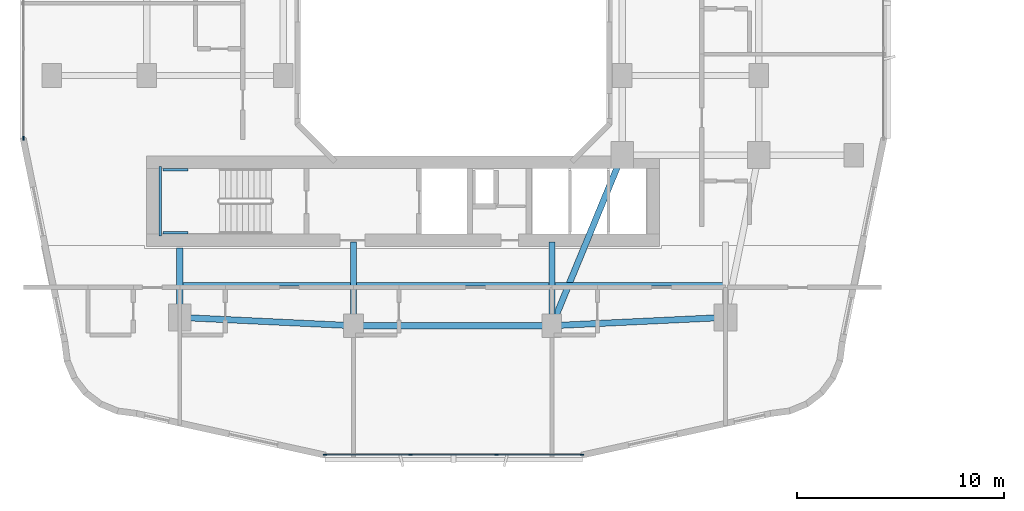
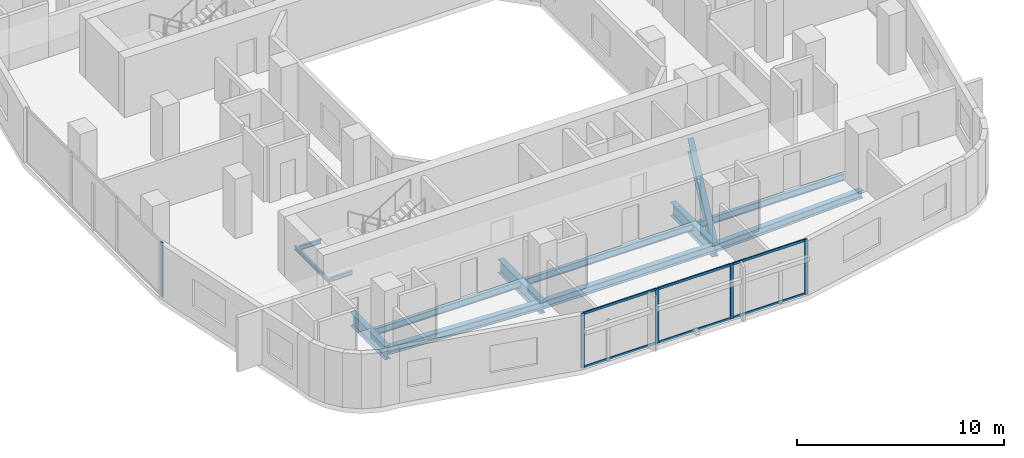
# One storey, part 2 of 27: 13 beams, 11 members, 2 elements without a shape of their own.
"""IFC4 building model written with IfcOpenShell, lengths in metres."""

import ifcopenshell
import ifcopenshell.guid

model = None  # the IFC model being written
_history = None  # IfcOwnerHistory: only IFC2X3 demands one
_inside = {}  # id of a spatial element -> (the spatial element, [elements in it])
_under = {}  # id of a project, library or spatial element -> (it, [spatial elements below it])
_declared = {}  # id of a project -> (the project, [libraries it declares])
_typed = {}  # id of a type object -> (the type object, [elements of that type])
_made_of = {}  # id of a material, layer set ... -> (it, [elements and type objects made of it])


def new_model(schema):
    """Start an empty IFC model of exactly this schema.

    Asked for "IFC4X3", IfcOpenShell would pick the latest addendum, in which some entities
    have other attributes; the version numbers below select the first issue.
    IFC2X3 requires an IfcOwnerHistory on every rooted entity: one is made here for all.
    """
    global model, _history
    if schema == "IFC4X3":
        model = ifcopenshell.file(schema_version=(4, 3, 0, 0))
    else:
        model = ifcopenshell.file(schema=schema)
    _inside.clear()
    _under.clear()
    _declared.clear()
    _typed.clear()
    _made_of.clear()
    _history = None
    if model.schema == "IFC2X3":
        org = make("IfcOrganization", Name="unknown")
        user = make(
            "IfcPersonAndOrganization",
            ThePerson=make("IfcPerson", FamilyName="unknown"),
            TheOrganization=org,
        )
        app = make(
            "IfcApplication",
            ApplicationDeveloper=org,
            Version="unknown",
            ApplicationFullName="unknown",
            ApplicationIdentifier="unknown",
        )
        _history = make(
            "IfcOwnerHistory",
            OwningUser=user,
            OwningApplication=app,
            ChangeAction="ADDED",
            CreationDate=0,
        )
    return model


def make(cls, **values):
    """One entity of the class cls with the attributes given. An attribute that is None is left unset."""
    return model.create_entity(
        cls, **{name: value for name, value in values.items() if value is not None}
    )


def rooted(cls, **values):
    """An entity with a GlobalId (a new one), such as an element, a storey or a relation."""
    return make(cls, GlobalId=ifcopenshell.guid.new(), OwnerHistory=_history, **values)


def si_unit(unit_type, name, prefix=None):
    """IfcSIUnit, for example si_unit("LENGTHUNIT", "METRE", prefix="MILLI")."""
    return make("IfcSIUnit", UnitType=unit_type, Prefix=prefix, Name=name)


def derived_unit(unit_type, elements):
    """IfcDerivedUnit: a product of units, each with its exponent."""
    return make(
        "IfcDerivedUnit",
        Elements=[
            make("IfcDerivedUnitElement", Unit=unit, Exponent=power)
            for unit, power in elements
        ],
        UnitType=unit_type,
    )


def assignment(units):
    """IfcUnitAssignment: the units of a project."""
    return None if units is None else make("IfcUnitAssignment", Units=units)


def point(xyz):
    """IfcCartesianPoint."""
    return None if xyz is None else make("IfcCartesianPoint", Coordinates=xyz)


def direction(xyz):
    """IfcDirection."""
    return None if xyz is None else make("IfcDirection", DirectionRatios=xyz)


def frame(location, z_axis=None, x_axis=None):
    """IfcAxis2Placement3D, a coordinate frame: its origin and axes. An axis left out is left unset."""
    return make(
        "IfcAxis2Placement3D",
        Location=point(location),
        Axis=direction(z_axis),
        RefDirection=direction(x_axis),
    )


def frame_2d(location, x_axis=None):
    """IfcAxis2Placement2D, a coordinate frame in the plane: its origin and x axis."""
    return make(
        "IfcAxis2Placement2D", Location=point(location), RefDirection=direction(x_axis)
    )


def origin():
    """The frame at (0, 0, 0) with its axes left unset."""
    return frame((0.0, 0.0, 0.0))


def origin_2d():
    """The frame at (0, 0) in the plane with its x axis left unset."""
    return frame_2d((0.0, 0.0))


def place(relative_to, where):
    """IfcLocalPlacement: puts the frame where relative to a parent placement (None: the world)."""
    return make(
        "IfcLocalPlacement", PlacementRelTo=relative_to, RelativePlacement=where
    )


def context(
    kind, dimensions, precision=None, world=None, true_north=None, identifier=None
):
    """IfcGeometricRepresentationContext, for example the 3D "Model" context."""
    return make(
        "IfcGeometricRepresentationContext",
        ContextIdentifier=identifier,
        ContextType=kind,
        CoordinateSpaceDimension=dimensions,
        Precision=precision,
        WorldCoordinateSystem=world,
        TrueNorth=true_north,
    )


def subcontext(parent, identifier, kind, view, scale=None):
    """IfcGeometricRepresentationSubContext, for example "Body" below "Model"."""
    return make(
        "IfcGeometricRepresentationSubContext",
        ContextIdentifier=identifier,
        ContextType=kind,
        ParentContext=parent,
        TargetScale=scale,
        TargetView=view,
    )


def project(units=None, contexts=None):
    """IfcProject with its units and contexts."""
    return rooted(
        "IfcProject",
        Name="project",
        RepresentationContexts=contexts,
        UnitsInContext=assignment(units),
    )


def spatial(cls, under=None, at=None, **own):
    """A site, building, storey or space (cls), placed at a placement, below another one or the project."""
    s = rooted(cls, ObjectPlacement=at, **own)
    if under is not None:
        _under.setdefault(under.id(), (under, []))[1].append(s)
    return s


def profile(cls, at=None, kind="AREA", **sizes):
    """A parametric profile (cls). Its sizes go by their IFC names, for example OverallWidth=200.0."""
    return make(cls, ProfileType=kind, Position=at, **sizes)


def rectangle(**sizes):
    """IfcRectangleProfileDef."""
    return profile("IfcRectangleProfileDef", **sizes)


def i_section(**sizes):
    """IfcIShapeProfileDef."""
    return profile("IfcIShapeProfileDef", **sizes)


def extrude(swept, where, along, depth):
    """IfcExtrudedAreaSolid: the profile swept, set in the frame where, extruded along a direction by depth."""
    return make(
        "IfcExtrudedAreaSolid",
        SweptArea=swept,
        Position=where,
        ExtrudedDirection=direction(along),
        Depth=depth,
    )


def shape(context_of_items, identifier, shape_type, items):
    """IfcShapeRepresentation: the items that make up one representation, for example the "Body"."""
    return make(
        "IfcShapeRepresentation",
        ContextOfItems=context_of_items,
        RepresentationIdentifier=identifier,
        RepresentationType=shape_type,
        Items=items,
    )


def material(Name=None, Category=None):
    """IfcMaterial."""
    return make("IfcMaterial", Name=Name, Category=Category)


def layer(
    of_material, thickness, ventilated=None, Name=None, Category=None, Priority=None
):
    """IfcMaterialLayer: one layer of a wall or slab, of a material (None: an air gap)."""
    return make(
        "IfcMaterialLayer",
        Material=of_material,
        LayerThickness=thickness,
        IsVentilated=ventilated,
        Name=Name,
        Category=Category,
        Priority=Priority,
    )


def layer_set(layers, Name=None):
    """IfcMaterialLayerSet."""
    return make("IfcMaterialLayerSet", MaterialLayers=layers, LayerSetName=Name)


def material_profile(
    of_material, cross_section, Name=None, Category=None, Priority=None
):
    """IfcMaterialProfile: a cross section and its material."""
    return make(
        "IfcMaterialProfile",
        Name=Name,
        Material=of_material,
        Profile=cross_section,
        Priority=Priority,
        Category=Category,
    )


def profile_set(profiles, Name=None, composite=None):
    """IfcMaterialProfileSet."""
    return make(
        "IfcMaterialProfileSet",
        Name=Name,
        MaterialProfiles=profiles,
        CompositeProfile=composite,
    )


def made_of(thing, what):
    """Note that an element or type object is made of a material, layer set ...; save() writes the relation."""
    if what is not None:
        _made_of.setdefault(what.id(), (what, []))[1].append(thing)
    return thing


def type_object(cls, material=None, **own):
    """A type object (cls), such as IfcWallType, which elements share."""
    return made_of(rooted(cls, **own), material)


def element(
    cls,
    number,
    at=None,
    inside=None,
    cuts=None,
    type_object=None,
    material=None,
    context=None,
    identifier="Body",
    shape_type=None,
    held_by="IfcProductDefinitionShape",
    body=None,
    shapes=None,
    **own,
):
    """One element of the class cls, such as IfcWall. Its Tag is "e" and its number.

    at: its placement. inside: the storey or other place that contains it. cuts: it is an
    opening in that element (IfcRelVoidsElement). A single representation is given by context,
    identifier, shape_type and body (its items); several are given by shapes. held_by: the class
    of the entity that holds the representations. save() writes the other relations.
    """
    e = rooted(cls, Tag="e%d" % number, ObjectPlacement=at, **own)
    if body is not None:
        shapes = [shape(context, identifier, shape_type, body)]
    if shapes is not None:
        e.Representation = make(held_by, Representations=shapes)
    if inside is not None:
        _inside.setdefault(inside.id(), (inside, []))[1].append(e)
    if cuts is not None:
        rooted(
            "IfcRelVoidsElement", RelatingBuildingElement=cuts, RelatedOpeningElement=e
        )
    if type_object is not None:
        _typed.setdefault(type_object.id(), (type_object, []))[1].append(e)
    return made_of(e, material)


def aggregate(whole, parts):
    """IfcRelAggregates: a whole, such as a stair, and the parts it consists of."""
    return rooted("IfcRelAggregates", RelatingObject=whole, RelatedObjects=parts)


def save(model, path):
    """Write the relations noted so far, then the file.

    IfcRelAggregates (storeys below a building ...), IfcRelContainedInSpatialStructure (elements
    in a storey), IfcRelDefinesByType, IfcRelAssociatesMaterial and IfcRelDeclares: one each for
    every whole, place, type object, material and project.
    """
    for whole, parts in _under.values():
        aggregate(whole, parts)
    for where, things in _inside.values():
        rooted(
            "IfcRelContainedInSpatialStructure",
            RelatedElements=things,
            RelatingStructure=where,
        )
    for kind, things in _typed.values():
        rooted("IfcRelDefinesByType", RelatedObjects=things, RelatingType=kind)
    for what, things in _made_of.values():
        rooted("IfcRelAssociatesMaterial", RelatedObjects=things, RelatingMaterial=what)
    for by, libraries in _declared.values():
        rooted("IfcRelDeclares", RelatingContext=by, RelatedDefinitions=libraries)
    model.write(path)


model = new_model("IFC4")

# Units and contexts
model_context = context("Model", 3, precision=1e-05, world=origin(), true_north=direction((0.0, 1.0)))
body_context = subcontext(model_context, "Body", "Model", "MODEL_VIEW")
ifc_project = project(units=[si_unit("LENGTHUNIT", "METRE"), si_unit("AREAUNIT", "SQUARE_METRE"), si_unit("VOLUMEUNIT", "CUBIC_METRE"), si_unit("PLANEANGLEUNIT", "RADIAN"), si_unit("MASSUNIT", "GRAM", prefix="KILO"), derived_unit("THERMALTRANSMITTANCEUNIT", [(si_unit("POWERUNIT", "WATT"), 1), (si_unit("LENGTHUNIT", "METRE"), -2), (si_unit("THERMODYNAMICTEMPERATUREUNIT", "KELVIN"), -1)])], contexts=[model_context])

# Site, building, storey
site_placement = place(None, origin())
site = spatial("IfcSite", under=ifc_project, at=site_placement, CompositionType="ELEMENT")
building_placement = place(site_placement, origin())
building = spatial("IfcBuilding", under=site, at=building_placement, Name="Kivonza Crest Hotel", CompositionType="ELEMENT")
storey_placement = place(building_placement, frame((0.0, 0.0, 34.5)))
storey = spatial("IfcBuildingStorey", under=building, at=storey_placement, Name="L08", CompositionType="ELEMENT", Elevation=34.5)

# Beams
ifc_material_1 = material(Name="Steel S355", Category="steel")
ifc_material_profile_1 = material_profile(ifc_material_1, i_section(OverallWidth=0.300048828125, OverallDepth=0.449951171875, WebThickness=0.013916015625, FlangeThickness=0.02587890625, FilletRadius=0.027099609375, at=origin_2d()), Name="HEB 450")
ifc_profile_set_1 = profile_set([ifc_material_profile_1], Name="Steel S355")
beam_type_1 = type_object("IfcBeamType", Name="BM-HEB450", PredefinedType="SPANDREL", material=ifc_profile_set_1)
beam_1_placement = place(storey_placement, frame((16.199951171875, 9.39990234375, -0.5048828125), z_axis=(1.0, 0.0, 0.0), x_axis=(0.0, 1.0, 0.0)))
element("IfcBeam", 1, at=beam_1_placement, inside=storey, type_object=beam_type_1, Name="Tower T1 L08 perimeter spandrel S1-S2", PredefinedType="SPANDREL", context=body_context, shape_type="SweptSolid", body=[
    extrude(i_section(OverallWidth=0.300048828125, OverallDepth=0.449951171875, WebThickness=0.013916015625, FlangeThickness=0.02587890625, FilletRadius=0.027099609375, at=origin_2d()), origin(), (0.0, 0.0, 1.0), 9.60009765625),
])
for number, where, z_axis, x_axis, name in (
    (2, (25.800048828125, 9.39990234375, -0.5048828125), (0.998867283688, 0.047583080799, 0.0), (-0.047583080799, 0.998867283688, 0.0), "Tower T1 L08 perimeter spandrel S2-SE"),
    (3, (7.800048828125, 9.800048828125, -0.5048828125), (0.998867283688, -0.047583080799, 0.0), (0.047583080799, 0.998867283688, 0.0), "Tower T1 L08 perimeter spandrel SW-S1"),
):
    element("IfcBeam", number, at=place(storey_placement, frame(where, z_axis=z_axis, x_axis=x_axis)), inside=storey, type_object=beam_type_1, Name=name, PredefinedType="SPANDREL", context=body_context, shape_type="SweptSolid", body=[
        extrude(i_section(OverallWidth=0.300048828125, OverallDepth=0.449951171875, WebThickness=0.013916015625, FlangeThickness=0.02587890625, FilletRadius=0.027099609375, at=origin_2d()), origin(), (0.0, 0.0, 1.0), 8.409423828125),
    ])
ifc_material_profile_2 = material_profile(ifc_material_1, i_section(OverallWidth=0.300048828125, OverallDepth=0.800048828125, WebThickness=0.017578125, FlangeThickness=0.032958984375, FilletRadius=0.030029296875, at=origin_2d()), Name="HEB 800")
ifc_profile_set_2 = profile_set([ifc_material_profile_2], Name="Steel S355")
beam_type_2 = type_object("IfcBeamType", Name="BM-HEB800", PredefinedType="BEAM", material=ifc_profile_set_2)
beam_2_placement = place(storey_placement, frame((25.800048828125, 9.39990234375, -0.679931640625), z_axis=(0.381022260404, 0.924565864109, 0.0), x_axis=(-0.924565864109, 0.381022260404, 0.0)))
element("IfcBeam", 4, at=beam_2_placement, inside=storey, type_object=beam_type_2, Name="Tower T1 L08 primary girder S1-TSE", PredefinedType="BEAM", context=body_context, shape_type="SweptSolid", body=[
    extrude(i_section(OverallWidth=0.300048828125, OverallDepth=0.800048828125, WebThickness=0.017578125, FlangeThickness=0.032958984375, FilletRadius=0.030029296875, at=origin_2d()), origin(), (0.0, 0.0, 1.0), 8.923095703125),
])
beam_3_placement = place(storey_placement, frame((7.800048828125, 9.800048828125, -0.679931640625), z_axis=(0.0, 1.0, 0.0), x_axis=(-1.0, 0.0, 0.0)))
element("IfcBeam", 5, at=beam_3_placement, inside=storey, type_object=beam_type_2, Name="Tower T1 L08 radial core girder RSW", PredefinedType="BEAM", context=body_context, shape_type="SweptSolid", body=[
    extrude(i_section(OverallWidth=0.300048828125, OverallDepth=0.800048828125, WebThickness=0.017578125, FlangeThickness=0.032958984375, FilletRadius=0.030029296875, at=origin_2d()), origin(), (0.0, 0.0, 1.0), 3.349853515625),
])
for number, where, z_axis, x_axis, name in (
    (6, (16.199951171875, 9.39990234375, -0.679931640625), (0.0, 1.0, 0.0), (-1.0, 0.0, 0.0), "Tower T1 L08 radial core girder RS1"),
    (7, (25.800048828125, 9.39990234375, -0.679931640625), (0.0, 1.0, 0.0), (-1.0, 0.0, 0.0), "Tower T1 L08 radial core girder RS2"),
):
    element("IfcBeam", number, at=place(storey_placement, frame(where, z_axis=z_axis, x_axis=x_axis)), inside=storey, type_object=beam_type_2, Name=name, PredefinedType="BEAM", context=body_context, shape_type="SweptSolid", body=[
        extrude(i_section(OverallWidth=0.300048828125, OverallDepth=0.800048828125, WebThickness=0.017578125, FlangeThickness=0.032958984375, FilletRadius=0.030029296875, at=origin_2d()), origin(), (0.0, 0.0, 1.0), 4.050048828125),
    ])
ifc_material_profile_3 = material_profile(ifc_material_1, i_section(OverallWidth=0.179931640625, OverallDepth=0.39990234375, WebThickness=0.008544921875, FlangeThickness=0.013427734375, FilletRadius=0.02099609375, at=origin_2d()), Name="IPE 400")
ifc_profile_set_3 = profile_set([ifc_material_profile_3], Name="Steel S355")
beam_type_3 = type_object("IfcBeamType", Name="BM-IPE400", PredefinedType="JOIST", material=ifc_profile_set_3)
beam_4_placement = place(storey_placement, frame((7.8798828125, 11.39990234375, -0.47998046875), z_axis=(1.0, 0.0, 0.0), x_axis=(0.0, 1.0, 0.0)))
element("IfcBeam", 8, at=beam_4_placement, inside=storey, type_object=beam_type_3, Name="Tower T1 L08 South-West floor joist", PredefinedType="JOIST", context=body_context, shape_type="SweptSolid", body=[
    extrude(i_section(OverallWidth=0.179931640625, OverallDepth=0.39990234375, WebThickness=0.008544921875, FlangeThickness=0.013427734375, FilletRadius=0.02099609375, at=origin_2d()), origin(), (0.0, 0.0, 1.0), 8.240234375),
])
beam_5_placement = place(storey_placement, frame((16.280029296875, 11.39990234375, -0.47998046875), z_axis=(1.0, 0.0, 0.0), x_axis=(0.0, 1.0, 0.0)))
element("IfcBeam", 9, at=beam_5_placement, inside=storey, type_object=beam_type_3, Name="Tower T1 L08 South-Mid floor joist", PredefinedType="JOIST", context=body_context, shape_type="SweptSolid", body=[
    extrude(i_section(OverallWidth=0.179931640625, OverallDepth=0.39990234375, WebThickness=0.008544921875, FlangeThickness=0.013427734375, FilletRadius=0.02099609375, at=origin_2d()), origin(), (0.0, 0.0, 1.0), 9.43994140625),
])
beam_6_placement = place(storey_placement, frame((25.8798828125, 11.39990234375, -0.47998046875), z_axis=(1.0, 0.0, 0.0), x_axis=(0.0, 1.0, 0.0)))
element("IfcBeam", 10, at=beam_6_placement, inside=storey, type_object=beam_type_3, Name="Tower T1 L08 South-East floor joist", PredefinedType="JOIST", context=body_context, shape_type="SweptSolid", body=[
    extrude(i_section(OverallWidth=0.179931640625, OverallDepth=0.39990234375, WebThickness=0.008544921875, FlangeThickness=0.013427734375, FilletRadius=0.02099609375, at=origin_2d()), origin(), (0.0, 0.0, 1.0), 8.240234375),
])
ifc_material_profile_4 = material_profile(ifc_material_1, i_section(OverallWidth=0.1201171875, OverallDepth=0.239990234375, WebThickness=0.006103515625, FlangeThickness=0.009765625, FilletRadius=0.014892578125, at=origin_2d()), Name="IPE 240")
ifc_profile_set_4 = profile_set([ifc_material_profile_4], Name="Steel S355")
beam_type_4 = type_object("IfcBeamType", Name="BM-LLDG-240", PredefinedType="BEAM", material=ifc_profile_set_4)
beam_7_placement = place(storey_placement, frame((6.860107421875, 13.739990234375, 1.429931640625), z_axis=(0.0, 1.0, 0.0), x_axis=(-1.0, 0.0, 0.0)))
element("IfcBeam", 11, at=beam_7_placement, inside=storey, type_object=beam_type_4, Name="Stair ST-T1-S L08 West landing corbel", PredefinedType="BEAM", context=body_context, shape_type="SweptSolid", body=[
    extrude(i_section(OverallWidth=0.1201171875, OverallDepth=0.239990234375, WebThickness=0.006103515625, FlangeThickness=0.009765625, FilletRadius=0.014892578125, at=origin_2d()), origin(), (0.0, 0.0, 1.0), 3.360107421875),
])
for number, where, z_axis, x_axis, name in (
    (12, (6.989990234375, 13.89990234375, 1.429931640625), (1.0, 0.0, 0.0), (0.0, 1.0, 0.0), "Stair ST-T1-S L08 South landing corbel"),
    (13, (6.989990234375, 16.93994140625, 1.429931640625), (1.0, 0.0, 0.0), (0.0, 1.0, 0.0), "Stair ST-T1-S L08 North landing corbel"),
):
    element("IfcBeam", number, at=place(storey_placement, frame(where, z_axis=z_axis, x_axis=x_axis)), inside=storey, type_object=beam_type_4, Name=name, PredefinedType="BEAM", context=body_context, shape_type="SweptSolid", body=[
        extrude(i_section(OverallWidth=0.1201171875, OverallDepth=0.239990234375, WebThickness=0.006103515625, FlangeThickness=0.009765625, FilletRadius=0.014892578125, at=origin_2d()), origin(), (0.0, 0.0, 1.0), 1.2099609375),
    ])

# Curtain wall, members
ifc_material_2 = material(Name="Anodised bronze aluminium and low-E double glazing", Category="aluminium")
ifc_layer = layer(ifc_material_2, 0.179931640625)
ifc_layer_set = layer_set([ifc_layer], Name="Anodised bronze aluminium and low-E double glazing")
curtain_wall_type = type_object("IfcCurtainWallType", Name="CW-SYS-2", PredefinedType="NOTDEFINED", material=ifc_layer_set)
curtain_wall_1_placement = place(storey_placement, origin())
curtain_wall_1 = element("IfcCurtainWall", 14, at=curtain_wall_1_placement, inside=storey, type_object=curtain_wall_type, Name="L08 unitised curtain wall CW-T1-L08-08", PredefinedType="NOTDEFINED")
ifc_material_3 = material(Name="Anodised bronze aluminium", Category="aluminium")
ifc_material_profile_5 = material_profile(ifc_material_3, rectangle(XDim=0.06494140625, YDim=0.179931640625, at=origin_2d()), Name="CW-M 65x180")
ifc_profile_set_5 = profile_set([ifc_material_profile_5], Name="Anodised bronze aluminium")
member_type_1 = type_object("IfcMemberType", Name="CW-MUL-65x180", PredefinedType="MULLION", material=ifc_profile_set_5)
member_1_placement = place(storey_placement, frame((14.824462890625, 3.159912109375, 0.0), z_axis=(0.0, 0.0, 1.0), x_axis=(0.0, 1.0, 0.0)))
member_1 = element("IfcMember", 15, at=member_1_placement, type_object=member_type_1, Name="CW-2 mullion 1", PredefinedType="MULLION", context=body_context, shape_type="SweptSolid", body=[
    extrude(rectangle(XDim=0.06494140625, YDim=0.179931640625, at=origin_2d()), origin(), (0.0, 0.0, 1.0), 3.219970703125),
])
member_2_placement = place(storey_placement, frame((18.957275390625, 3.159912109375, 0.0), z_axis=(0.0, 0.0, 1.0), x_axis=(0.0, 1.0, 0.0)))
member_2 = element("IfcMember", 16, at=member_2_placement, type_object=member_type_1, Name="CW-2 mullion 2", PredefinedType="MULLION", context=body_context, shape_type="SweptSolid", body=[
    extrude(rectangle(XDim=0.06494140625, YDim=0.179931640625, at=origin_2d()), origin(), (0.0, 0.0, 1.0), 3.219970703125),
])
member_3_placement = place(storey_placement, frame((23.12255859375, 3.159912109375, 0.0), z_axis=(0.0, 0.0, 1.0), x_axis=(0.0, 1.0, 0.0)))
member_3 = element("IfcMember", 17, at=member_3_placement, type_object=member_type_1, Name="CW-2 mullion 3", PredefinedType="MULLION", context=body_context, shape_type="SweptSolid", body=[
    extrude(rectangle(XDim=0.06494140625, YDim=0.179931640625, at=origin_2d()), origin(), (0.0, 0.0, 1.0), 3.219970703125),
])
member_4_placement = place(storey_placement, frame((27.255615234375, 3.159912109375, 0.0), z_axis=(0.0, 0.0, 1.0), x_axis=(0.0, 1.0, 0.0)))
member_4 = element("IfcMember", 18, at=member_4_placement, type_object=member_type_1, Name="CW-2 mullion 4", PredefinedType="MULLION", context=body_context, shape_type="SweptSolid", body=[
    extrude(rectangle(XDim=0.06494140625, YDim=0.179931640625, at=origin_2d()), origin(), (0.0, 0.0, 1.0), 3.219970703125),
])

# Curtain wall, member
curtain_wall_2_placement = place(storey_placement, origin())
curtain_wall_2 = element("IfcCurtainWall", 19, at=curtain_wall_2_placement, inside=storey, type_object=curtain_wall_type, Name="L08 unitised curtain wall CW-T1-L08-35", PredefinedType="NOTDEFINED")
member_5_placement = place(storey_placement, frame((0.239990234375, 18.472412109375, 0.0), z_axis=(0.0, 0.0, 1.0), x_axis=(1.0, 0.0, 0.0)))
member_5 = element("IfcMember", 20, at=member_5_placement, type_object=member_type_1, Name="CW-2 mullion 4", PredefinedType="MULLION", context=body_context, shape_type="SweptSolid", body=[
    extrude(rectangle(XDim=0.06494140625, YDim=0.179931640625, at=origin_2d()), origin(), (0.0, 0.0, 1.0), 3.219970703125),
])
aggregate(curtain_wall_2, [member_5])

# Member
ifc_material_profile_6 = material_profile(ifc_material_3, rectangle(XDim=0.06494140625, YDim=0.139892578125, at=origin_2d()), Name="CW-T 65x140")
ifc_profile_set_6 = profile_set([ifc_material_profile_6], Name="Anodised bronze aluminium")
member_type_2 = type_object("IfcMemberType", Name="CW-TRN-65x140", PredefinedType="USERDEFINED", material=ifc_profile_set_6)
member_6_placement = place(storey_placement, frame((14.85693359375, 3.159912109375, 0.032470703125), z_axis=(1.0, 0.0, 0.0), x_axis=(0.0, 1.0, 0.0)))
member_6 = element("IfcMember", 21, at=member_6_placement, type_object=member_type_2, Name="CW-2 transom 1.1", ObjectType="TRANSOM", PredefinedType="USERDEFINED", context=body_context, shape_type="SweptSolid", body=[
    extrude(rectangle(XDim=0.06494140625, YDim=0.139892578125, at=origin_2d()), origin(), (0.0, 0.0, 1.0), 4.06787109375),
])

member_7_placement = place(storey_placement, frame((14.85693359375, 3.159912109375, 3.1875), z_axis=(1.0, 0.0, 0.0), x_axis=(0.0, 1.0, 0.0)))
member_7 = element("IfcMember", 22, at=member_7_placement, type_object=member_type_2, Name="CW-2 transom 1.2", ObjectType="TRANSOM", PredefinedType="USERDEFINED", context=body_context, shape_type="SweptSolid", body=[
    extrude(rectangle(XDim=0.06494140625, YDim=0.139892578125, at=origin_2d()), origin(), (0.0, 0.0, 1.0), 4.06787109375),
])

member_8_placement = place(storey_placement, frame((18.98974609375, 3.159912109375, 0.032470703125), z_axis=(1.0, 0.0, 0.0), x_axis=(0.0, 1.0, 0.0)))
member_8 = element("IfcMember", 23, at=member_8_placement, type_object=member_type_2, Name="CW-2 transom 2.1", ObjectType="TRANSOM", PredefinedType="USERDEFINED", context=body_context, shape_type="SweptSolid", body=[
    extrude(rectangle(XDim=0.06494140625, YDim=0.139892578125, at=origin_2d()), origin(), (0.0, 0.0, 1.0), 4.100341796875),
])

member_9_placement = place(storey_placement, frame((18.98974609375, 3.159912109375, 3.1875), z_axis=(1.0, 0.0, 0.0), x_axis=(0.0, 1.0, 0.0)))
member_9 = element("IfcMember", 24, at=member_9_placement, type_object=member_type_2, Name="CW-2 transom 2.2", ObjectType="TRANSOM", PredefinedType="USERDEFINED", context=body_context, shape_type="SweptSolid", body=[
    extrude(rectangle(XDim=0.06494140625, YDim=0.139892578125, at=origin_2d()), origin(), (0.0, 0.0, 1.0), 4.100341796875),
])

member_10_placement = place(storey_placement, frame((23.1552734375, 3.159912109375, 0.032470703125), z_axis=(1.0, 0.0, 0.0), x_axis=(0.0, 1.0, 0.0)))
member_10 = element("IfcMember", 25, at=member_10_placement, type_object=member_type_2, Name="CW-2 transom 3.1", ObjectType="TRANSOM", PredefinedType="USERDEFINED", context=body_context, shape_type="SweptSolid", body=[
    extrude(rectangle(XDim=0.06494140625, YDim=0.139892578125, at=origin_2d()), origin(), (0.0, 0.0, 1.0), 4.067626953125),
])

member_11_placement = place(storey_placement, frame((23.1552734375, 3.159912109375, 3.1875), z_axis=(1.0, 0.0, 0.0), x_axis=(0.0, 1.0, 0.0)))
member_11 = element("IfcMember", 26, at=member_11_placement, type_object=member_type_2, Name="CW-2 transom 3.2", ObjectType="TRANSOM", PredefinedType="USERDEFINED", context=body_context, shape_type="SweptSolid", body=[
    extrude(rectangle(XDim=0.06494140625, YDim=0.139892578125, at=origin_2d()), origin(), (0.0, 0.0, 1.0), 4.067626953125),
])

aggregate(curtain_wall_1, [member_1, member_2, member_3, member_4, member_6, member_7, member_8, member_9, member_10, member_11])

save(model, "model.ifc")
